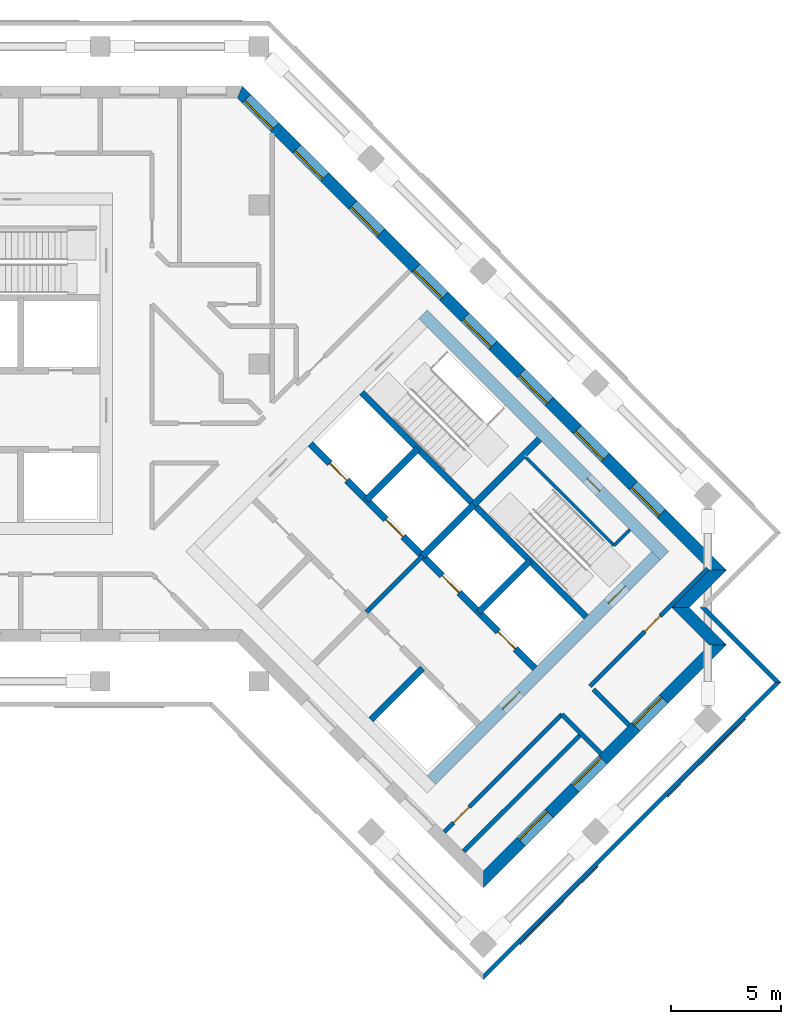
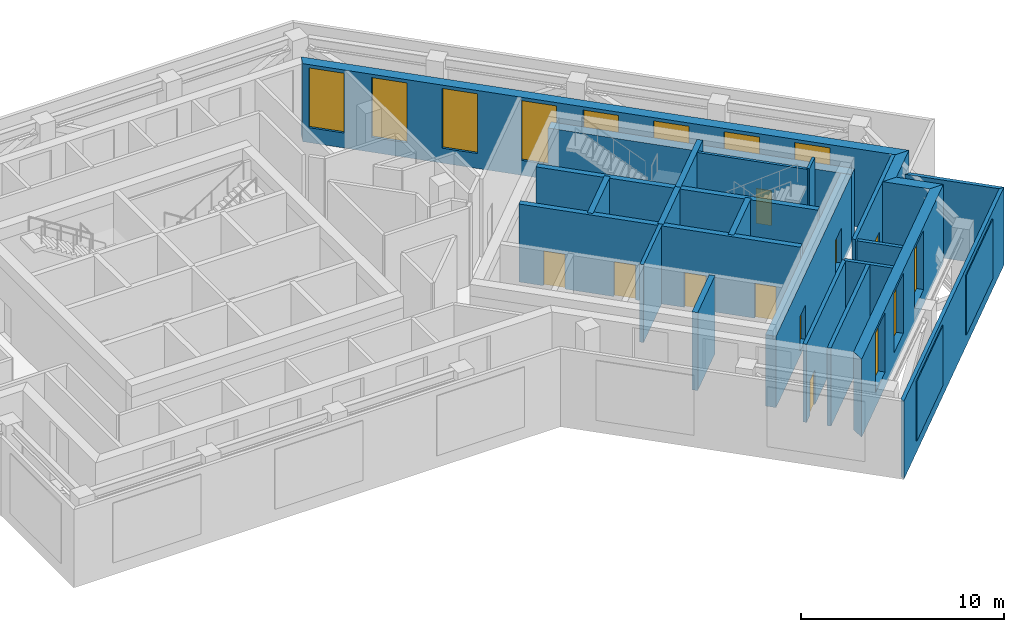
# One storey, part 7 of 10: 24 walls, 11 windows, 9 doors, 2 plates, 20 openings.
"""IFC4 building model written with IfcOpenShell, lengths in metres."""

from ifc_helpers import new_model, si_unit, direction, frame, frame_2d, origin, place, context, subcontext, project, spatial, polyline, rectangle, outline, extrude, material, layer, layer_set, type_object, element, fill, aggregate, save


model = new_model("IFC4")

# Units and contexts
model_context = context("Model", 3, precision=1e-05, world=origin(), true_north=direction((0.0, 1.0)))
body_context = subcontext(model_context, "Body", "Model", "MODEL_VIEW")
ifc_project = project(units=[si_unit("LENGTHUNIT", "METRE"), si_unit("AREAUNIT", "SQUARE_METRE"), si_unit("VOLUMEUNIT", "CUBIC_METRE"), si_unit("PLANEANGLEUNIT", "RADIAN"), si_unit("MASSUNIT", "GRAM", prefix="KILO")], contexts=[model_context])

# Plate
ifc_material_1 = material(Name="Aluminium louvre", Category="aluminium")
ifc_layer_1 = layer(ifc_material_1, 0.05)
ifc_layer_set_1 = layer_set([ifc_layer_1], Name="Belt louvre panel 5000x3600")
plate_type = type_object("IfcPlateType", Name="Belt louvre panel 5000x3600", PredefinedType="SHEET", material=ifc_layer_set_1)
site_placement = place(None, origin())
building_placement = place(site_placement, origin())
storey_placement = place(building_placement, frame((0.0, 0.0, 180.4)))
plate_1_placement = place(storey_placement, frame((91.0617, 31.253, 0.75), z_axis=(0.7070967812, -0.7071167811, 0.0), x_axis=(0.7071167811, 0.7070967812, 0.0)))
plate_1 = element("IfcPlate", 1, at=plate_1_placement, type_object=plate_type, Name="Belt louvre panel L49 78.1", PredefinedType="SHEET", context=body_context, shape_type="SweptSolid", body=[
    extrude(outline(polyline([(0.0, 0.0), (5.0, 0.0), (5.0, 3.6), (0.0, 3.6), (0.0, 0.0)])), origin(), (0.0, 0.0, -1.0), 0.05),
])

plate_2_placement = place(storey_placement, frame((97.7439, 37.9351, 0.75), z_axis=(0.7071167811, -0.7070967812, 0.0), x_axis=(0.7070967812, 0.7071167811, 0.0)))
plate_2 = element("IfcPlate", 2, at=plate_2_placement, type_object=plate_type, Name="Belt louvre panel L49 79.2", PredefinedType="SHEET", context=body_context, shape_type="SweptSolid", body=[
    extrude(outline(polyline([(0.0, 0.0), (5.0, 0.0), (5.0, 3.6), (0.0, 3.6), (0.0, 0.0)])), origin(), (0.0, 0.0, -1.0), 0.05),
])

# Site, building, storey
site = spatial("IfcSite", under=ifc_project, at=site_placement, CompositionType="ELEMENT")
building = spatial("IfcBuilding", under=site, at=building_placement, Name="Windrow Commons", CompositionType="ELEMENT")
storey = spatial("IfcBuildingStorey", under=building, at=storey_placement, Name="L49", CompositionType="ELEMENT", Elevation=180.4)

# Wall
ifc_material_2 = material(Name="Concrete C40/50 precast screen panel", Category="concrete")
ifc_layer_2 = layer(ifc_material_2, 0.2)
ifc_layer_set_2 = layer_set([ifc_layer_2], Name="Belt screen wall 200")
wall_type_1 = type_object("IfcWallType", Name="Belt screen wall 200", PredefinedType="SOLIDWALL", material=ifc_layer_set_2)
wall_1_placement = place(storey_placement, frame((102.7467, 43.15, 0.0), z_axis=(0.0, 0.0, 1.0), x_axis=(-0.7071067812, 0.7071067812, 0.0)))
element("IfcWall", 3, at=wall_1_placement, inside=storey, type_object=wall_type_1, Name="Belt screen wall L49 2", PredefinedType="SOLIDWALL", context=body_context, shape_type="SweptSolid", body=[
    extrude(outline(polyline([(-0.1, -0.1), (4.7, -0.1), (4.9, 0.1), (0.1, 0.1), (-0.1, -0.1)])), origin(), (0.0, 0.0, 1.0), 4.7),
])

wall_2_placement = place(storey_placement, frame((89.3823, 29.7857, 0.0), z_axis=(0.0, 0.0, 1.0), x_axis=(0.7071094267, 0.7071041357, 0.0)))
wall_2 = element("IfcWall", 4, at=wall_2_placement, inside=storey, type_object=wall_type_1, Name="Belt screen wall L49 78", PredefinedType="SOLIDWALL", context=body_context, shape_type="SweptSolid", body=[
    extrude(outline(polyline([(-0.1, -0.1), (19.0, -0.1), (18.8, 0.1), (0.1, 0.1), (-0.1, -0.1)])), origin(), (0.0, 0.0, 1.0), 4.7),
])

aggregate(wall_2, [plate_1, plate_2])

# Walls
ifc_material_3 = material(Name="Brick masonry, red clay brick", Category="masonry")
ifc_layer_3 = layer(ifc_material_3, 0.55)
ifc_layer_set_3 = layer_set([ifc_layer_3], Name="Brick facade wall 550")
wall_type_2 = type_object("IfcWallType", Name="Brick facade wall 550", PredefinedType="SOLIDWALL", material=ifc_layer_set_3)
wall_3_placement = place(storey_placement, frame((100.0243, 44.8471, 0.0), z_axis=(0.0, 0.0, 1.0), x_axis=(-0.7071067812, 0.7071067812, 0.0)))
element("IfcWall", 5, at=wall_3_placement, inside=storey, type_object=wall_type_2, Name="Brick facade wall L49 1", PredefinedType="SOLIDWALL", context=body_context, shape_type="SweptSolid", body=[
    extrude(outline(polyline([(-0.275, -0.275), (2.1251, -0.275), (2.6751, 0.275), (0.275, 0.275), (-0.275, -0.275)])), origin(), (0.0, 0.0, 1.0), 4.7),
])
wall_4_placement = place(storey_placement, frame((98.3272, 46.5442, 0.0), z_axis=(0.0, 0.0, 1.0), x_axis=(0.7071276143, 0.7070859475, 0.0)))
element("IfcWall", 6, at=wall_4_placement, inside=storey, type_object=wall_type_2, Name="Brick facade wall L49 2", PredefinedType="SOLIDWALL", context=body_context, shape_type="SweptSolid", body=[
    extrude(outline(polyline([(0.275, -0.275), (2.675, -0.275), (2.125, 0.275), (-0.275, 0.275), (0.275, -0.275)])), origin(), (0.0, 0.0, 1.0), 4.7),
])

# Wall, openings, windows
wall_5_placement = place(storey_placement, frame((100.0243, 48.2412, 0.0), z_axis=(0.0, 0.0, 1.0), x_axis=(-0.7071067812, 0.7071067812, 0.0)))
wall_5 = element("IfcWall", 7, at=wall_5_placement, inside=storey, type_object=wall_type_2, Name="Brick facade wall L49 3", PredefinedType="SOLIDWALL", context=body_context, shape_type="SweptSolid", body=[
    extrude(outline(polyline([(-0.275, -0.275), (30.7794, -0.275), (30.5516, 0.275), (0.275, 0.275), (-0.275, -0.275)])), origin(), (0.0, 0.0, 1.0), 4.7),
])
opening_1_placement = place(wall_5_placement, frame((3.625, 0.0, 0.9)))
opening_1 = element("IfcOpeningElement", 8, at=opening_1_placement, cuts=wall_5, Name="Opening LV2", PredefinedType="OPENING", context=body_context, shape_type="SweptSolid", body=[
    extrude(rectangle(XDim=1.8, YDim=3.6, at=frame_2d((0.9, 1.8))), frame((0.0, 0.285, 0.0), z_axis=(0.0, -1.0, 0.0), x_axis=(1.0, 0.0, 0.0)), (0.0, 0.0, 1.0), 0.57),
])
opening_2_placement = place(wall_5_placement, frame((7.225, 0.0, 0.9)))
opening_2 = element("IfcOpeningElement", 9, at=opening_2_placement, cuts=wall_5, Name="Opening LV2", PredefinedType="OPENING", context=body_context, shape_type="SweptSolid", body=[
    extrude(rectangle(XDim=1.8, YDim=3.6, at=frame_2d((0.9, 1.8))), frame((0.0, 0.285, 0.0), z_axis=(0.0, -1.0, 0.0), x_axis=(1.0, 0.0, 0.0)), (0.0, 0.0, 1.0), 0.57),
])
opening_3_placement = place(wall_5_placement, frame((10.825, 0.0, 0.9)))
opening_3 = element("IfcOpeningElement", 10, at=opening_3_placement, cuts=wall_5, Name="Opening LV2", PredefinedType="OPENING", context=body_context, shape_type="SweptSolid", body=[
    extrude(rectangle(XDim=1.8, YDim=3.6, at=frame_2d((0.9, 1.8))), frame((0.0, 0.285, 0.0), z_axis=(0.0, -1.0, 0.0), x_axis=(1.0, 0.0, 0.0)), (0.0, 0.0, 1.0), 0.57),
])
opening_4_placement = place(wall_5_placement, frame((14.425, 0.0, 0.9)))
opening_4 = element("IfcOpeningElement", 11, at=opening_4_placement, cuts=wall_5, Name="Opening LV2", PredefinedType="OPENING", context=body_context, shape_type="SweptSolid", body=[
    extrude(rectangle(XDim=1.8, YDim=3.6, at=frame_2d((0.9, 1.8))), frame((0.0, 0.285, 0.0), z_axis=(0.0, -1.0, 0.0), x_axis=(1.0, 0.0, 0.0)), (0.0, 0.0, 1.0), 0.57),
])
opening_5_placement = place(wall_5_placement, frame((17.575, 0.0, 0.9)))
opening_5 = element("IfcOpeningElement", 12, at=opening_5_placement, cuts=wall_5, Name="Opening LV2", PredefinedType="OPENING", context=body_context, shape_type="SweptSolid", body=[
    extrude(rectangle(XDim=1.8, YDim=3.6, at=frame_2d((0.9, 1.8))), frame((0.0, 0.285, 0.0), z_axis=(0.0, -1.0, 0.0), x_axis=(1.0, 0.0, 0.0)), (0.0, 0.0, 1.0), 0.57),
])
opening_6_placement = place(wall_5_placement, frame((21.625, 0.0, 0.9)))
opening_6 = element("IfcOpeningElement", 13, at=opening_6_placement, cuts=wall_5, Name="Opening LV2", PredefinedType="OPENING", context=body_context, shape_type="SweptSolid", body=[
    extrude(rectangle(XDim=1.8, YDim=3.6, at=frame_2d((0.9, 1.8))), frame((0.0, 0.285, 0.0), z_axis=(0.0, -1.0, 0.0), x_axis=(1.0, 0.0, 0.0)), (0.0, 0.0, 1.0), 0.57),
])
opening_7_placement = place(wall_5_placement, frame((25.225, 0.0, 0.9)))
opening_7 = element("IfcOpeningElement", 14, at=opening_7_placement, cuts=wall_5, Name="Opening LV2", PredefinedType="OPENING", context=body_context, shape_type="SweptSolid", body=[
    extrude(rectangle(XDim=1.8, YDim=3.6, at=frame_2d((0.9, 1.8))), frame((0.0, 0.285, 0.0), z_axis=(0.0, -1.0, 0.0), x_axis=(1.0, 0.0, 0.0)), (0.0, 0.0, 1.0), 0.57),
])
opening_8_placement = place(wall_5_placement, frame((28.4383, 0.0, 0.9)))
opening_8 = element("IfcOpeningElement", 15, at=opening_8_placement, cuts=wall_5, Name="Opening LV2", PredefinedType="OPENING", context=body_context, shape_type="SweptSolid", body=[
    extrude(rectangle(XDim=1.8, YDim=3.6, at=frame_2d((0.9, 1.8))), frame((0.0, 0.285, 0.0), z_axis=(0.0, -1.0, 0.0), x_axis=(1.0, 0.0, 0.0)), (0.0, 0.0, 1.0), 0.57),
])
ifc_material_4 = material(Name="Aluminium 6063-T6 anodised louvre", Category="aluminium")
window_type = type_object("IfcWindowType", Name="Plant louvre 1800x3600", PartitioningType="SINGLE_PANEL", PredefinedType="WINDOW", material=ifc_material_4)
window_1_placement = place(opening_1_placement, origin())
window_1 = element("IfcWindow", 16, at=window_1_placement, inside=storey, type_object=window_type, Name="Louvre L49 3.1", OverallHeight=3.6, OverallWidth=1.8, PartitioningType="SINGLE_PANEL", PredefinedType="WINDOW", context=body_context, shape_type="SweptSolid", body=[
    extrude(rectangle(XDim=1.8, YDim=3.6, at=frame_2d((0.9, 1.8))), frame((0.0, 0.155, 0.0), z_axis=(0.0, -1.0, 0.0), x_axis=(1.0, 0.0, 0.0)), (0.0, 0.0, 1.0), 0.06),
])
fill(opening_1, window_1)
window_2_placement = place(opening_2_placement, origin())
window_2 = element("IfcWindow", 17, at=window_2_placement, inside=storey, type_object=window_type, Name="Louvre L49 3.2", OverallHeight=3.6, OverallWidth=1.8, PartitioningType="SINGLE_PANEL", PredefinedType="WINDOW", context=body_context, shape_type="SweptSolid", body=[
    extrude(rectangle(XDim=1.8, YDim=3.6, at=frame_2d((0.9, 1.8))), frame((0.0, 0.155, 0.0), z_axis=(0.0, -1.0, 0.0), x_axis=(1.0, 0.0, 0.0)), (0.0, 0.0, 1.0), 0.06),
])
fill(opening_2, window_2)
window_3_placement = place(opening_3_placement, origin())
window_3 = element("IfcWindow", 18, at=window_3_placement, inside=storey, type_object=window_type, Name="Louvre L49 3.3", OverallHeight=3.6, OverallWidth=1.8, PartitioningType="SINGLE_PANEL", PredefinedType="WINDOW", context=body_context, shape_type="SweptSolid", body=[
    extrude(rectangle(XDim=1.8, YDim=3.6, at=frame_2d((0.9, 1.8))), frame((0.0, 0.155, 0.0), z_axis=(0.0, -1.0, 0.0), x_axis=(1.0, 0.0, 0.0)), (0.0, 0.0, 1.0), 0.06),
])
fill(opening_3, window_3)
window_4_placement = place(opening_4_placement, origin())
window_4 = element("IfcWindow", 19, at=window_4_placement, inside=storey, type_object=window_type, Name="Louvre L49 3.4", OverallHeight=3.6, OverallWidth=1.8, PartitioningType="SINGLE_PANEL", PredefinedType="WINDOW", context=body_context, shape_type="SweptSolid", body=[
    extrude(rectangle(XDim=1.8, YDim=3.6, at=frame_2d((0.9, 1.8))), frame((0.0, 0.155, 0.0), z_axis=(0.0, -1.0, 0.0), x_axis=(1.0, 0.0, 0.0)), (0.0, 0.0, 1.0), 0.06),
])
fill(opening_4, window_4)
window_5_placement = place(opening_5_placement, origin())
window_5 = element("IfcWindow", 20, at=window_5_placement, inside=storey, type_object=window_type, Name="Louvre L49 3.5", OverallHeight=3.6, OverallWidth=1.8, PartitioningType="SINGLE_PANEL", PredefinedType="WINDOW", context=body_context, shape_type="SweptSolid", body=[
    extrude(rectangle(XDim=1.8, YDim=3.6, at=frame_2d((0.9, 1.8))), frame((0.0, 0.155, 0.0), z_axis=(0.0, -1.0, 0.0), x_axis=(1.0, 0.0, 0.0)), (0.0, 0.0, 1.0), 0.06),
])
fill(opening_5, window_5)
window_6_placement = place(opening_6_placement, origin())
window_6 = element("IfcWindow", 21, at=window_6_placement, inside=storey, type_object=window_type, Name="Louvre L49 3.6", OverallHeight=3.6, OverallWidth=1.8, PartitioningType="SINGLE_PANEL", PredefinedType="WINDOW", context=body_context, shape_type="SweptSolid", body=[
    extrude(rectangle(XDim=1.8, YDim=3.6, at=frame_2d((0.9, 1.8))), frame((0.0, 0.155, 0.0), z_axis=(0.0, -1.0, 0.0), x_axis=(1.0, 0.0, 0.0)), (0.0, 0.0, 1.0), 0.06),
])
fill(opening_6, window_6)
window_7_placement = place(opening_7_placement, origin())
window_7 = element("IfcWindow", 22, at=window_7_placement, inside=storey, type_object=window_type, Name="Louvre L49 3.7", OverallHeight=3.6, OverallWidth=1.8, PartitioningType="SINGLE_PANEL", PredefinedType="WINDOW", context=body_context, shape_type="SweptSolid", body=[
    extrude(rectangle(XDim=1.8, YDim=3.6, at=frame_2d((0.9, 1.8))), frame((0.0, 0.155, 0.0), z_axis=(0.0, -1.0, 0.0), x_axis=(1.0, 0.0, 0.0)), (0.0, 0.0, 1.0), 0.06),
])
fill(opening_7, window_7)
window_8_placement = place(opening_8_placement, origin())
window_8 = element("IfcWindow", 23, at=window_8_placement, inside=storey, type_object=window_type, Name="Louvre L49 3.8", OverallHeight=3.6, OverallWidth=1.8, PartitioningType="SINGLE_PANEL", PredefinedType="WINDOW", context=body_context, shape_type="SweptSolid", body=[
    extrude(rectangle(XDim=1.8, YDim=3.6, at=frame_2d((0.9, 1.8))), frame((0.0, 0.155, 0.0), z_axis=(0.0, -1.0, 0.0), x_axis=(1.0, 0.0, 0.0)), (0.0, 0.0, 1.0), 0.06),
])
fill(opening_8, window_8)

wall_6_placement = place(storey_placement, frame((89.3823, 34.2051, 0.0), z_axis=(0.0, 0.0, 1.0), x_axis=(0.7071067812, 0.7071067812, 0.0)))
wall_6 = element("IfcWall", 24, at=wall_6_placement, inside=storey, type_object=wall_type_2, Name="Brick facade wall L49 14", PredefinedType="SOLIDWALL", context=body_context, shape_type="SweptSolid", body=[
    extrude(outline(polyline([(-0.275, -0.275), (15.325, -0.275), (14.775, 0.275), (0.275, 0.275), (-0.275, -0.275)])), origin(), (0.0, 0.0, 1.0), 4.7),
])
opening_9_placement = place(wall_6_placement, frame((2.425, 0.0, 0.9)))
opening_9 = element("IfcOpeningElement", 25, at=opening_9_placement, cuts=wall_6, Name="Opening LV2", PredefinedType="OPENING", context=body_context, shape_type="SweptSolid", body=[
    extrude(rectangle(XDim=1.8, YDim=3.6, at=frame_2d((0.9, 1.8))), frame((0.0, 0.285, 0.0), z_axis=(0.0, -1.0, 0.0), x_axis=(1.0, 0.0, 0.0)), (0.0, 0.0, 1.0), 0.57),
])
opening_10_placement = place(wall_6_placement, frame((5.875, 0.0, 0.9)))
opening_10 = element("IfcOpeningElement", 26, at=opening_10_placement, cuts=wall_6, Name="Opening LV2", PredefinedType="OPENING", context=body_context, shape_type="SweptSolid", body=[
    extrude(rectangle(XDim=1.8, YDim=3.6, at=frame_2d((0.9, 1.8))), frame((0.0, 0.285, 0.0), z_axis=(0.0, -1.0, 0.0), x_axis=(1.0, 0.0, 0.0)), (0.0, 0.0, 1.0), 0.57),
])
opening_11_placement = place(wall_6_placement, frame((9.775, 0.0, 0.9)))
opening_11 = element("IfcOpeningElement", 27, at=opening_11_placement, cuts=wall_6, Name="Opening LV2", PredefinedType="OPENING", context=body_context, shape_type="SweptSolid", body=[
    extrude(rectangle(XDim=1.8, YDim=3.6, at=frame_2d((0.9, 1.8))), frame((0.0, 0.285, 0.0), z_axis=(0.0, -1.0, 0.0), x_axis=(1.0, 0.0, 0.0)), (0.0, 0.0, 1.0), 0.57),
])
window_9_placement = place(opening_9_placement, origin())
window_9 = element("IfcWindow", 28, at=window_9_placement, inside=storey, type_object=window_type, Name="Louvre L49 14.1", OverallHeight=3.6, OverallWidth=1.8, PartitioningType="SINGLE_PANEL", PredefinedType="WINDOW", context=body_context, shape_type="SweptSolid", body=[
    extrude(rectangle(XDim=1.8, YDim=3.6, at=frame_2d((0.9, 1.8))), frame((0.0, 0.155, 0.0), z_axis=(0.0, -1.0, 0.0), x_axis=(1.0, 0.0, 0.0)), (0.0, 0.0, 1.0), 0.06),
])
fill(opening_9, window_9)
window_10_placement = place(opening_10_placement, origin())
window_10 = element("IfcWindow", 29, at=window_10_placement, inside=storey, type_object=window_type, Name="Louvre L49 14.2", OverallHeight=3.6, OverallWidth=1.8, PartitioningType="SINGLE_PANEL", PredefinedType="WINDOW", context=body_context, shape_type="SweptSolid", body=[
    extrude(rectangle(XDim=1.8, YDim=3.6, at=frame_2d((0.9, 1.8))), frame((0.0, 0.155, 0.0), z_axis=(0.0, -1.0, 0.0), x_axis=(1.0, 0.0, 0.0)), (0.0, 0.0, 1.0), 0.06),
])
fill(opening_10, window_10)
window_11_placement = place(opening_11_placement, origin())
window_11 = element("IfcWindow", 30, at=window_11_placement, inside=storey, type_object=window_type, Name="Louvre L49 14.3", OverallHeight=3.6, OverallWidth=1.8, PartitioningType="SINGLE_PANEL", PredefinedType="WINDOW", context=body_context, shape_type="SweptSolid", body=[
    extrude(rectangle(XDim=1.8, YDim=3.6, at=frame_2d((0.9, 1.8))), frame((0.0, 0.155, 0.0), z_axis=(0.0, -1.0, 0.0), x_axis=(1.0, 0.0, 0.0)), (0.0, 0.0, 1.0), 0.06),
])
fill(opening_11, window_11)

# Wall
ifc_material_5 = material(Name="Blockwork partition", Category="masonry")
ifc_layer_4 = layer(ifc_material_5, 0.2)
ifc_layer_set_4 = layer_set([ifc_layer_4], Name="Fire lobby partition 200")
wall_type_3 = type_object("IfcWallType", Name="Fire lobby partition 200", PredefinedType="PARTITIONING", material=ifc_layer_set_4)
wall_7_placement = place(storey_placement, frame((84.079, 46.332, 0.0), z_axis=(0.0, 0.0, 1.0), x_axis=(0.7071067812, 0.7071067812, 0.0)))
element("IfcWall", 31, at=wall_7_placement, inside=storey, type_object=wall_type_3, Name="W-core-lobby-B-L49", PredefinedType="PARTITIONING", context=body_context, shape_type="SweptSolid", body=[
    extrude(rectangle(XDim=3.6, YDim=0.2, at=frame_2d((1.8, 0.0))), origin(), (0.0, 0.0, 1.0), 4.7),
])

# Wall, opening, door
ifc_material_6 = material(Name="Blockwork partition", Category="masonry")
ifc_layer_5 = layer(ifc_material_6, 0.2)
ifc_layer_set_5 = layer_set([ifc_layer_5], Name="IW-CORRIDOR-200")
wall_type_4 = type_object("IfcWallType", Name="IW-CORRIDOR-200", PredefinedType="PARTITIONING", material=ifc_layer_set_5)
wall_8_placement = place(storey_placement, frame((94.2255, 42.9745, 0.0), z_axis=(0.0, 0.0, 1.0), x_axis=(0.7071134042, 0.7071001581, 0.0)))
wall_8 = element("IfcWall", 32, at=wall_8_placement, inside=storey, type_object=wall_type_4, Name="W-L49-W009", PredefinedType="PARTITIONING", context=body_context, shape_type="SweptSolid", body=[
    extrude(rectangle(XDim=7.5494, YDim=0.2, at=frame_2d((3.7747, 0.0))), origin(), (0.0, 0.0, 1.0), 4.7),
])
opening_12_placement = place(wall_8_placement, frame((3.5043, 0.0, 0.0)))
opening_12 = element("IfcOpeningElement", 33, at=opening_12_placement, cuts=wall_8, Name="Opening D410F", PredefinedType="OPENING", context=body_context, shape_type="SweptSolid", body=[
    extrude(rectangle(XDim=1.0, YDim=2.1, at=frame_2d((0.5, 1.05))), frame((0.0, 0.11, 0.0), z_axis=(0.0, -1.0, 0.0), x_axis=(1.0, 0.0, 0.0)), (0.0, 0.0, 1.0), 0.22),
])
ifc_material_7 = material(Name="Timber door leaf", Category="wood")
door_type_1 = type_object("IfcDoorType", Name="DT-SERVICE-1000", OperationType="SINGLE_SWING_LEFT", PredefinedType="DOOR", material=ifc_material_7)
door_1_placement = place(opening_12_placement, origin())
door_1 = element("IfcDoor", 34, at=door_1_placement, inside=storey, type_object=door_type_1, Name="D-L49-D023", OperationType="SINGLE_SWING_LEFT", OverallHeight=2.1, OverallWidth=1.0, PredefinedType="DOOR", context=body_context, shape_type="SweptSolid", body=[
    extrude(rectangle(XDim=1.0, YDim=2.1, at=frame_2d((0.5, 1.05))), frame((0.0, 0.025, 0.0), z_axis=(0.0, -1.0, 0.0), x_axis=(1.0, 0.0, 0.0)), (0.0, 0.0, 1.0), 0.05),
])
fill(opening_12, door_1)

wall_9_placement = place(storey_placement, frame((87.6137, 36.3626, 0.0), z_axis=(0.0, 0.0, 1.0), x_axis=(0.7071001576, 0.7071134047, 0.0)))
wall_9 = element("IfcWall", 35, at=wall_9_placement, inside=storey, type_object=wall_type_4, Name="W-L49-W010", PredefinedType="PARTITIONING", context=body_context, shape_type="SweptSolid", body=[
    extrude(rectangle(XDim=7.5489, YDim=0.2, at=frame_2d((3.7744, 0.0))), origin(), (0.0, 0.0, 1.0), 4.7),
])
opening_13_placement = place(wall_9_placement, frame((0.5948, 0.0, 0.0)))
opening_13 = element("IfcOpeningElement", 36, at=opening_13_placement, cuts=wall_9, Name="Opening D410F", PredefinedType="OPENING", context=body_context, shape_type="SweptSolid", body=[
    extrude(rectangle(XDim=1.0, YDim=2.1, at=frame_2d((0.5, 1.05))), frame((0.0, 0.11, 0.0), z_axis=(0.0, -1.0, 0.0), x_axis=(1.0, 0.0, 0.0)), (0.0, 0.0, 1.0), 0.22),
])
door_2_placement = place(opening_13_placement, origin())
door_2 = element("IfcDoor", 37, at=door_2_placement, inside=storey, type_object=door_type_1, Name="D-L49-D022", OperationType="SINGLE_SWING_LEFT", OverallHeight=2.1, OverallWidth=1.0, PredefinedType="DOOR", context=body_context, shape_type="SweptSolid", body=[
    extrude(rectangle(XDim=1.0, YDim=2.1, at=frame_2d((0.5, 1.05))), frame((0.0, 0.025, 0.0), z_axis=(0.0, -1.0, 0.0), x_axis=(1.0, 0.0, 0.0)), (0.0, 0.0, 1.0), 0.05),
])
fill(opening_13, door_2)

# Walls
wall_10_placement = place(storey_placement, frame((92.9506, 41.6966, 0.0), z_axis=(0.0, 0.0, 1.0), x_axis=(0.7071267879, -0.7070867739, 0.0)))
element("IfcWall", 38, at=wall_10_placement, inside=storey, type_object=wall_type_4, Name="W-L49-W044", PredefinedType="PARTITIONING", context=body_context, shape_type="SweptSolid", body=[
    extrude(rectangle(XDim=2.4991, YDim=0.2, at=frame_2d((1.2495, 0.0))), origin(), (0.0, 0.0, 1.0), 4.7),
])
wall_11_placement = place(storey_placement, frame((94.3715, 42.8355, 0.0), z_axis=(0.0, 0.0, 1.0), x_axis=(0.7071067812, -0.7071067812, 0.0)))
element("IfcWall", 39, at=wall_11_placement, inside=storey, type_object=wall_type_4, Name="W-L49-W051", PredefinedType="PARTITIONING", context=body_context, shape_type="SweptSolid", body=[
    extrude(rectangle(XDim=2.2997, YDim=0.2, at=frame_2d((1.1499, 0.0))), origin(), (0.0, 0.0, 1.0), 4.7),
])
ifc_material_8 = material(Name="Blockwork partition", Category="masonry")
ifc_layer_6 = layer(ifc_material_8, 0.2)
ifc_layer_set_6 = layer_set([ifc_layer_6], Name="IW-PARTY-200")
wall_type_5 = type_object("IfcWallType", Name="IW-PARTY-200", PredefinedType="PARTITIONING", material=ifc_layer_set_6)
wall_12_placement = place(storey_placement, frame((88.4952, 35.4811, 0.0), z_axis=(0.0, 0.0, 1.0), x_axis=(0.7072325932, 0.7069809467, 0.0)))
element("IfcWall", 40, at=wall_12_placement, inside=storey, type_object=wall_type_5, Name="W-L49-W005", PredefinedType="PARTITIONING", context=body_context, shape_type="SweptSolid", body=[
    extrude(rectangle(XDim=7.5503, YDim=0.2, at=frame_2d((3.7752, 0.0))), origin(), (0.0, 0.0, 1.0), 4.7),
])

# Wall, opening, door
ifc_material_9 = material(Name="Concrete C50/60", Category="concrete")
ifc_layer_7 = layer(ifc_material_9, 0.55)
ifc_layer_set_7 = layer_set([ifc_layer_7], Name="RC CORE WALL 550 C50/60")
wall_type_6 = type_object("IfcWallType", Name="RC CORE WALL 550 C50/60", PredefinedType="SHEAR", material=ifc_layer_set_7)
wall_13_placement = place(storey_placement, frame((86.6423, 59.8554, -0.3), z_axis=(0.0, 0.0, 1.0), x_axis=(0.707110007, -0.7071035554, 0.0)))
wall_13 = element("IfcWall", 41, at=wall_13_placement, inside=storey, type_object=wall_type_6, Name="Core B wall outer-N", PredefinedType="SHEAR", context=body_context, shape_type="SweptSolid", body=[
    extrude(rectangle(XDim=15.5, YDim=0.55, at=frame_2d((7.75, 0.0))), origin(), (0.0, 0.0, 1.0), 4.3),
])
opening_14_placement = place(wall_13_placement, frame((10.55, 0.0, 0.3)))
opening_14 = element("IfcOpeningElement", 42, at=opening_14_placement, cuts=wall_13, Name="Opening D9", PredefinedType="OPENING", context=body_context, shape_type="SweptSolid", body=[
    extrude(rectangle(XDim=0.8, YDim=2.1, at=frame_2d((0.4, 1.05))), frame((0.0, 0.285, 0.0), z_axis=(0.0, -1.0, 0.0), x_axis=(1.0, 0.0, 0.0)), (0.0, 0.0, 1.0), 0.57),
])
ifc_material_10 = material(Name="Steel fire door leaf", Category="steel")
door_type_2 = type_object("IfcDoorType", Name="Riser access door 800", OperationType="SINGLE_SWING_LEFT", PredefinedType="DOOR", material=ifc_material_10)
door_3_placement = place(opening_14_placement, origin())
door_3 = element("IfcDoor", 43, at=door_3_placement, inside=storey, type_object=door_type_2, Name="Riser access door", OperationType="SINGLE_SWING_RIGHT", OverallHeight=2.1, OverallWidth=0.8, PredefinedType="DOOR", context=body_context, shape_type="SweptSolid", body=[
    extrude(rectangle(XDim=0.8, YDim=2.1, at=frame_2d((0.4, 1.05))), frame((0.0, 0.025, 0.0), z_axis=(0.0, -1.0, 0.0), x_axis=(1.0, 0.0, 0.0)), (0.0, 0.0, 1.0), 0.05),
])
fill(opening_14, door_3)

# Wall, openings, doors
wall_14_placement = place(storey_placement, frame((87.0312, 38.7129, -0.3), z_axis=(0.0, 0.0, 1.0), x_axis=(0.707103309, 0.7071102534, 0.0)))
wall_14 = element("IfcWall", 44, at=wall_14_placement, inside=storey, type_object=wall_type_6, Name="Core B wall outer-E", PredefinedType="SHEAR", context=body_context, shape_type="SweptSolid", body=[
    extrude(rectangle(XDim=14.4, YDim=0.55, at=frame_2d((7.2, 0.0))), origin(), (0.0, 0.0, 1.0), 4.3),
])
opening_15_placement = place(wall_14_placement, frame((4.55, 0.0, 0.3)))
opening_15 = element("IfcOpeningElement", 45, at=opening_15_placement, cuts=wall_14, Name="Opening D6", PredefinedType="OPENING", context=body_context, shape_type="SweptSolid", body=[
    extrude(rectangle(XDim=1.1, YDim=2.1, at=frame_2d((0.55, 1.05))), frame((0.0, 0.285, 0.0), z_axis=(0.0, -1.0, 0.0), x_axis=(1.0, 0.0, 0.0)), (0.0, 0.0, 1.0), 0.57),
])
opening_16_placement = place(wall_14_placement, frame((11.35, 0.0, 0.3)))
opening_16 = element("IfcOpeningElement", 46, at=opening_16_placement, cuts=wall_14, Name="Opening D7", PredefinedType="OPENING", context=body_context, shape_type="SweptSolid", body=[
    extrude(rectangle(XDim=1.1, YDim=2.1, at=frame_2d((0.55, 1.05))), frame((0.0, 0.285, 0.0), z_axis=(0.0, -1.0, 0.0), x_axis=(1.0, 0.0, 0.0)), (0.0, 0.0, 1.0), 0.57),
])
ifc_material_11 = material(Name="Steel fire door leaf", Category="steel")
door_type_3 = type_object("IfcDoorType", Name="Core lobby door 1100", OperationType="SINGLE_SWING_LEFT", PredefinedType="DOOR", material=ifc_material_11)
door_4_placement = place(opening_15_placement, origin())
door_4 = element("IfcDoor", 47, at=door_4_placement, inside=storey, type_object=door_type_3, Name="Lift lobby door", OperationType="DOUBLE_DOOR_SINGLE_SWING", OverallHeight=2.1, OverallWidth=1.1, PredefinedType="DOOR", context=body_context, shape_type="SweptSolid", body=[
    extrude(rectangle(XDim=1.1, YDim=2.1, at=frame_2d((0.55, 1.05))), frame((0.0, 0.025, 0.0), z_axis=(0.0, -1.0, 0.0), x_axis=(1.0, 0.0, 0.0)), (0.0, 0.0, 1.0), 0.05),
])
fill(opening_15, door_4)
ifc_material_12 = material(Name="Steel fire door leaf", Category="steel")
door_type_4 = type_object("IfcDoorType", Name="Stair door 1100", OperationType="SINGLE_SWING_LEFT", PredefinedType="DOOR", material=ifc_material_12)
door_5_placement = place(opening_16_placement, origin())
door_5 = element("IfcDoor", 48, at=door_5_placement, inside=storey, type_object=door_type_4, Name="Stair door", OperationType="SINGLE_SWING_RIGHT", OverallHeight=2.1, OverallWidth=1.1, PredefinedType="DOOR", context=body_context, shape_type="SweptSolid", body=[
    extrude(rectangle(XDim=1.1, YDim=2.1, at=frame_2d((0.55, 1.05))), frame((0.0, 0.025, 0.0), z_axis=(0.0, -1.0, 0.0), x_axis=(1.0, 0.0, 0.0)), (0.0, 0.0, 1.0), 0.05),
])
fill(opening_16, door_5)

# Walls
ifc_material_13 = material(Name="Concrete C50/60", Category="concrete")
ifc_layer_8 = layer(ifc_material_13, 0.3)
ifc_layer_set_8 = layer_set([ifc_layer_8], Name="RC SHAFT WALL 300 C50/60")
wall_type_7 = type_object("IfcWallType", Name="RC SHAFT WALL 300 C50/60", PredefinedType="SOLIDWALL", material=ifc_layer_set_8)
wall_15_placement = place(storey_placement, frame((84.079, 51.4232, 0.0), z_axis=(0.0, 0.0, 1.0), x_axis=(0.7071219326, 0.7070916295, 0.0)))
element("IfcWall", 49, at=wall_15_placement, inside=storey, type_object=wall_type_7, Name="Core B wall shaft-N1", PredefinedType="SOLIDWALL", context=body_context, shape_type="SweptSolid", body=[
    extrude(rectangle(XDim=3.3, YDim=0.3, at=frame_2d((1.65, 0.0))), origin(), (0.0, 0.0, 1.0), 4.7),
])
wall_16_placement = place(storey_placement, frame((86.6246, 48.8776, 0.0), z_axis=(0.0, 0.0, 1.0), x_axis=(0.7071067812, 0.7071067812, 0.0)))
element("IfcWall", 50, at=wall_16_placement, inside=storey, type_object=wall_type_7, Name="Core B wall shaft-N2", PredefinedType="SOLIDWALL", context=body_context, shape_type="SweptSolid", body=[
    extrude(rectangle(XDim=3.3001, YDim=0.3, at=frame_2d((1.6501, 0.0))), origin(), (0.0, 0.0, 1.0), 4.7),
])
wall_17_placement = place(storey_placement, frame((84.2912, 41.453, 0.0), z_axis=(0.0, 0.0, 1.0), x_axis=(0.7071067812, 0.7071067812, 0.0)))
element("IfcWall", 51, at=wall_17_placement, inside=storey, type_object=wall_type_7, Name="Core B wall shaft-S3", PredefinedType="SOLIDWALL", context=body_context, shape_type="SweptSolid", body=[
    extrude(rectangle(XDim=3.2999, YDim=0.3, at=frame_2d((1.65, 0.0))), origin(), (0.0, 0.0, 1.0), 4.7),
])
wall_18_placement = place(storey_placement, frame((89.1702, 46.332, 0.0), z_axis=(0.0, 0.0, 1.0), x_axis=(0.7071067812, 0.7071067812, 0.0)))
element("IfcWall", 52, at=wall_18_placement, inside=storey, type_object=wall_type_7, Name="Core B wall shaft-N3", PredefinedType="SOLIDWALL", context=body_context, shape_type="SweptSolid", body=[
    extrude(rectangle(XDim=3.3001, YDim=0.3, at=frame_2d((1.6501, 0.0))), origin(), (0.0, 0.0, 1.0), 4.7),
])

# Wall, openings, doors
wall_19_placement = place(storey_placement, frame((81.5335, 53.9688, 0.0), z_axis=(0.0, 0.0, 1.0), x_axis=(0.707103309, -0.7071102534, 0.0)))
wall_19 = element("IfcWall", 53, at=wall_19_placement, inside=storey, type_object=wall_type_7, Name="Core B wall lobby-N", PredefinedType="SOLIDWALL", context=body_context, shape_type="SweptSolid", body=[
    extrude(rectangle(XDim=14.4, YDim=0.3, at=frame_2d((7.2, 0.0))), origin(), (0.0, 0.0, 1.0), 4.7),
])
opening_17_placement = place(wall_19_placement, frame((1.25, 0.0, 0.0)))
opening_17 = element("IfcOpeningElement", 54, at=opening_17_placement, cuts=wall_19, Name="Opening LD", PredefinedType="OPENING", context=body_context, shape_type="SweptSolid", body=[
    extrude(rectangle(XDim=1.1, YDim=2.1, at=frame_2d((0.55, 1.05))), frame((0.0, 0.16, 0.0), z_axis=(0.0, -1.0, 0.0), x_axis=(1.0, 0.0, 0.0)), (0.0, 0.0, 1.0), 0.32),
])
opening_18_placement = place(wall_19_placement, frame((4.85, 0.0, 0.0)))
opening_18 = element("IfcOpeningElement", 55, at=opening_18_placement, cuts=wall_19, Name="Opening LD", PredefinedType="OPENING", context=body_context, shape_type="SweptSolid", body=[
    extrude(rectangle(XDim=1.1, YDim=2.1, at=frame_2d((0.55, 1.05))), frame((0.0, 0.16, 0.0), z_axis=(0.0, -1.0, 0.0), x_axis=(1.0, 0.0, 0.0)), (0.0, 0.0, 1.0), 0.32),
])
opening_19_placement = place(wall_19_placement, frame((8.45, 0.0, 0.0)))
opening_19 = element("IfcOpeningElement", 56, at=opening_19_placement, cuts=wall_19, Name="Opening LD", PredefinedType="OPENING", context=body_context, shape_type="SweptSolid", body=[
    extrude(rectangle(XDim=1.1, YDim=2.1, at=frame_2d((0.55, 1.05))), frame((0.0, 0.16, 0.0), z_axis=(0.0, -1.0, 0.0), x_axis=(1.0, 0.0, 0.0)), (0.0, 0.0, 1.0), 0.32),
])
opening_20_placement = place(wall_19_placement, frame((12.05, 0.0, 0.0)))
opening_20 = element("IfcOpeningElement", 57, at=opening_20_placement, cuts=wall_19, Name="Opening LD", PredefinedType="OPENING", context=body_context, shape_type="SweptSolid", body=[
    extrude(rectangle(XDim=1.1, YDim=2.1, at=frame_2d((0.55, 1.05))), frame((0.0, 0.16, 0.0), z_axis=(0.0, -1.0, 0.0), x_axis=(1.0, 0.0, 0.0)), (0.0, 0.0, 1.0), 0.32),
])
ifc_material_14 = material(Name="Stainless steel door leaf", Category="steel")
door_type_5 = type_object("IfcDoorType", Name="Lift landing door 1100", OperationType="SLIDING_TO_LEFT", PredefinedType="DOOR", material=ifc_material_14)
door_6_placement = place(opening_17_placement, origin())
door_6 = element("IfcDoor", 58, at=door_6_placement, inside=storey, type_object=door_type_5, Name="Lift landing door", OperationType="SLIDING_TO_LEFT", OverallHeight=2.1, OverallWidth=1.1, PredefinedType="DOOR", context=body_context, shape_type="SweptSolid", body=[
    extrude(rectangle(XDim=1.1, YDim=2.1, at=frame_2d((0.55, 1.05))), frame((0.0, 0.025, 0.0), z_axis=(0.0, -1.0, 0.0), x_axis=(1.0, 0.0, 0.0)), (0.0, 0.0, 1.0), 0.05),
])
fill(opening_17, door_6)
door_7_placement = place(opening_18_placement, origin())
door_7 = element("IfcDoor", 59, at=door_7_placement, inside=storey, type_object=door_type_5, Name="Lift landing door", OperationType="SLIDING_TO_RIGHT", OverallHeight=2.1, OverallWidth=1.1, PredefinedType="DOOR", context=body_context, shape_type="SweptSolid", body=[
    extrude(rectangle(XDim=1.1, YDim=2.1, at=frame_2d((0.55, 1.05))), frame((0.0, 0.025, 0.0), z_axis=(0.0, -1.0, 0.0), x_axis=(1.0, 0.0, 0.0)), (0.0, 0.0, 1.0), 0.05),
])
fill(opening_18, door_7)
door_8_placement = place(opening_19_placement, origin())
door_8 = element("IfcDoor", 60, at=door_8_placement, inside=storey, type_object=door_type_5, Name="Lift landing door", OperationType="SLIDING_TO_LEFT", OverallHeight=2.1, OverallWidth=1.1, PredefinedType="DOOR", context=body_context, shape_type="SweptSolid", body=[
    extrude(rectangle(XDim=1.1, YDim=2.1, at=frame_2d((0.55, 1.05))), frame((0.0, 0.025, 0.0), z_axis=(0.0, -1.0, 0.0), x_axis=(1.0, 0.0, 0.0)), (0.0, 0.0, 1.0), 0.05),
])
fill(opening_19, door_8)
door_9_placement = place(opening_20_placement, origin())
door_9 = element("IfcDoor", 61, at=door_9_placement, inside=storey, type_object=door_type_5, Name="Lift landing door", OperationType="SLIDING_TO_RIGHT", OverallHeight=2.1, OverallWidth=1.1, PredefinedType="DOOR", context=body_context, shape_type="SweptSolid", body=[
    extrude(rectangle(XDim=1.1, YDim=2.1, at=frame_2d((0.55, 1.05))), frame((0.0, 0.025, 0.0), z_axis=(0.0, -1.0, 0.0), x_axis=(1.0, 0.0, 0.0)), (0.0, 0.0, 1.0), 0.05),
])
fill(opening_20, door_9)

# Walls
for number, where, z_axis, x_axis, name in (
    (62, (83.8669, 56.3022, 0.0), (0.0, 0.0, 1.0), (0.7071137256, -0.7070998367, 0.0), "Core B wall stair-S"),
    (63, (88.9581, 51.2111, 0.0), (0.0, 0.0, 1.0), (0.7070998367, -0.7071137256, 0.0), "Core B wall stair-S2"),
):
    element("IfcWall", number, at=place(storey_placement, frame(where, z_axis=z_axis, x_axis=x_axis)), inside=storey, type_object=wall_type_7, Name=name, PredefinedType="SOLIDWALL", context=body_context, shape_type="SweptSolid", body=[
        extrude(rectangle(XDim=7.2, YDim=0.3, at=frame_2d((3.6, 0.0))), origin(), (0.0, 0.0, 1.0), 4.7),
    ])
wall_20_placement = place(storey_placement, frame((88.9581, 51.2111, 0.0), z_axis=(0.0, 0.0, 1.0), x_axis=(0.7071067812, 0.7071067812, 0.0)))
element("IfcWall", 64, at=wall_20_placement, inside=storey, type_object=wall_type_7, Name="Core B wall stair-mid", PredefinedType="SOLIDWALL", context=body_context, shape_type="SweptSolid", body=[
    extrude(rectangle(XDim=4.1999, YDim=0.3, at=frame_2d((2.1, 0.0))), origin(), (0.0, 0.0, 1.0), 4.7),
])
ifc_material_15 = material(Name="Blockwork partition", Category="masonry")
ifc_layer_9 = layer(ifc_material_15, 0.15)
ifc_layer_set_9 = layer_set([ifc_layer_9], Name="Riser partition 150")
wall_type_8 = type_object("IfcWallType", Name="Riser partition 150", PredefinedType="PARTITIONING", material=ifc_layer_set_9)
wall_21_placement = place(storey_placement, frame((91.3127, 53.3536, 0.0), z_axis=(0.0, 0.0, 1.0), x_axis=(0.7071067812, -0.7071067812, 0.0)))
element("IfcWall", 65, at=wall_21_placement, inside=storey, type_object=wall_type_8, Name="W-core-strip-B-L49", PredefinedType="PARTITIONING", context=body_context, shape_type="SweptSolid", body=[
    extrude(rectangle(XDim=5.6501, YDim=0.15, at=frame_2d((2.8251, 0.0))), origin(), (0.0, 0.0, 1.0), 4.7),
])
wall_22_placement = place(storey_placement, frame((95.3079, 49.3584, 0.0), z_axis=(0.0, 0.0, 1.0), x_axis=(0.70705776, 0.707155799, 0.0)))
element("IfcWall", 66, at=wall_22_placement, inside=storey, type_object=wall_type_8, Name="W-core-stripx-B-L49-1", PredefinedType="PARTITIONING", context=body_context, shape_type="SweptSolid", body=[
    extrude(rectangle(XDim=1.02, YDim=0.15, at=frame_2d((0.51, 0.0))), origin(), (0.0, 0.0, 1.0), 4.7),
])

save(model, "model.ifc")
